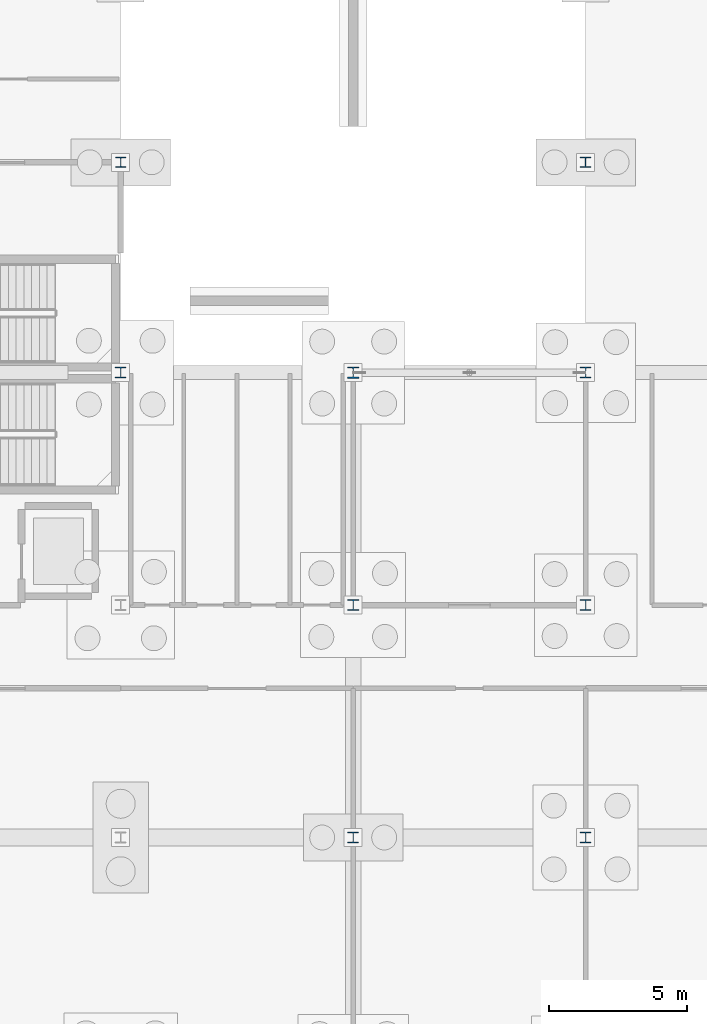
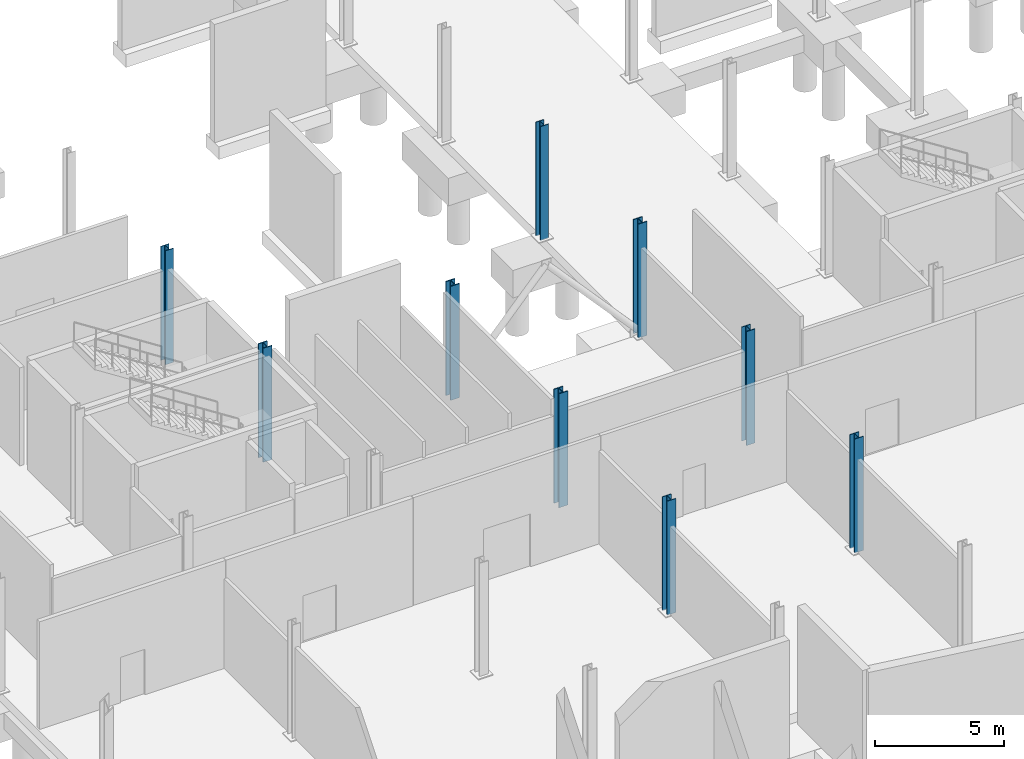
# One storey, part 17 of 61: 9 columns.
"""IFC4 building model written with IfcOpenShell, lengths in metres."""

from ifc_helpers import new_model, si_unit, direction, frame, origin, origin_2d, place, context, subcontext, project, spatial, i_section, extrude, material, material_profile, profile_set, type_object, element, save


model = new_model("IFC4")

# Units and contexts
model_context = context("Model", 3, precision=1e-05, world=origin(), true_north=direction((0.0, 1.0)))
body_context = subcontext(model_context, "Body", "Model", "MODEL_VIEW")
ifc_project = project(units=[si_unit("LENGTHUNIT", "METRE"), si_unit("AREAUNIT", "SQUARE_METRE"), si_unit("VOLUMEUNIT", "CUBIC_METRE"), si_unit("PLANEANGLEUNIT", "RADIAN"), si_unit("MASSUNIT", "GRAM", prefix="KILO")], contexts=[model_context])

# Site, building, storey
site_placement = place(None, origin())
site = spatial("IfcSite", under=ifc_project, at=site_placement, CompositionType="ELEMENT")
building_placement = place(site_placement, origin())
building = spatial("IfcBuilding", under=site, at=building_placement, Name="Calvrana Isthmian Art Gallery", CompositionType="ELEMENT")
storey_placement = place(building_placement, frame((0.0, 0.0, -5.39990234375)))
storey = spatial("IfcBuildingStorey", under=building, at=storey_placement, Name="B1", CompositionType="ELEMENT", Elevation=-5.39990234375)

# Columns
ifc_material = material(Name="Steel ASTM A992 Gr 50", Category="steel")
ifc_material_profile_1 = material_profile(ifc_material, i_section(OverallWidth=0.373046875, OverallDepth=0.367919921875, WebThickness=0.014892578125, FlangeThickness=0.02392578125, FilletRadius=0.02490234375, at=origin_2d()), Name="W14X120")
ifc_profile_set_1 = profile_set([ifc_material_profile_1], Name="Steel ASTM A992 Gr 50")
column_type_1 = type_object("IfcColumnType", Name="COL-STL-W14X120", PredefinedType="COLUMN", material=ifc_profile_set_1)
column_1_placement = place(storey_placement, frame((38.39990234375, 54.39990234375, 0.0), z_axis=(0.0, 0.0, 1.0), x_axis=(1.0, 0.0, 0.0)))
element("IfcColumn", 1, at=column_1_placement, inside=storey, type_object=column_type_1, Name="Column 06/H B1", PredefinedType="COLUMN", context=body_context, shape_type="SweptSolid", body=[
    extrude(i_section(OverallWidth=0.373046875, OverallDepth=0.367919921875, WebThickness=0.014892578125, FlangeThickness=0.02392578125, FilletRadius=0.02490234375, at=origin_2d()), origin(), (0.0, 0.0, 1.0), 5.39990234375),
])
ifc_material_profile_2 = material_profile(ifc_material, i_section(OverallWidth=0.373046875, OverallDepth=0.373046875, WebThickness=0.016357421875, FlangeThickness=0.026123046875, FilletRadius=0.02490234375, at=origin_2d()), Name="W14X132")
ifc_profile_set_2 = profile_set([ifc_material_profile_2], Name="Steel ASTM A992 Gr 50")
column_type_2 = type_object("IfcColumnType", Name="COL-STL-W14X132", PredefinedType="COLUMN", material=ifc_profile_set_2)
column_2_placement = place(storey_placement, frame((55.199951171875, 54.39990234375, 0.0), z_axis=(0.0, 0.0, 1.0), x_axis=(1.0, 0.0, 0.0)))
element("IfcColumn", 2, at=column_2_placement, inside=storey, type_object=column_type_2, Name="Column 08/H B1", PredefinedType="COLUMN", context=body_context, shape_type="SweptSolid", body=[
    extrude(i_section(OverallWidth=0.373046875, OverallDepth=0.373046875, WebThickness=0.016357421875, FlangeThickness=0.026123046875, FilletRadius=0.02490234375, at=origin_2d()), origin(), (0.0, 0.0, 1.0), 5.39990234375),
])
ifc_material_profile_3 = material_profile(ifc_material, i_section(OverallWidth=0.39599609375, OverallDepth=0.381103515625, WebThickness=0.018798828125, FlangeThickness=0.0302734375, FilletRadius=0.02490234375, at=origin_2d()), Name="W14X159")
ifc_profile_set_3 = profile_set([ifc_material_profile_3], Name="Steel ASTM A992 Gr 50")
column_type_3 = type_object("IfcColumnType", Name="COL-STL-W14X159", PredefinedType="COLUMN", material=ifc_profile_set_3)
column_3_placement = place(storey_placement, frame((46.800048828125, 30.0, 0.0), z_axis=(0.0, 0.0, 1.0), x_axis=(1.0, 0.0, 0.0)))
element("IfcColumn", 3, at=column_3_placement, inside=storey, type_object=column_type_3, Name="Column 07/E B1", PredefinedType="COLUMN", context=body_context, shape_type="SweptSolid", body=[
    extrude(i_section(OverallWidth=0.39599609375, OverallDepth=0.381103515625, WebThickness=0.018798828125, FlangeThickness=0.0302734375, FilletRadius=0.02490234375, at=origin_2d()), origin(), (0.0, 0.0, 1.0), 5.39990234375),
])
ifc_material_profile_4 = material_profile(ifc_material, i_section(OverallWidth=0.39892578125, OverallDepth=0.385986328125, WebThickness=0.02099609375, FlangeThickness=0.033203125, FilletRadius=0.02490234375, at=origin_2d()), Name="W14X176")
ifc_profile_set_4 = profile_set([ifc_material_profile_4], Name="Steel ASTM A992 Gr 50")
column_type_4 = type_object("IfcColumnType", Name="COL-STL-W14X176", PredefinedType="COLUMN", material=ifc_profile_set_4)
column_4_placement = place(storey_placement, frame((55.199951171875, 30.0, 0.0), z_axis=(0.0, 0.0, 1.0), x_axis=(1.0, 0.0, 0.0)))
element("IfcColumn", 4, at=column_4_placement, inside=storey, type_object=column_type_4, Name="Column 08/E B1", PredefinedType="COLUMN", context=body_context, shape_type="SweptSolid", body=[
    extrude(i_section(OverallWidth=0.39892578125, OverallDepth=0.385986328125, WebThickness=0.02099609375, FlangeThickness=0.033203125, FilletRadius=0.02490234375, at=origin_2d()), origin(), (0.0, 0.0, 1.0), 5.39990234375),
])
ifc_material_profile_5 = material_profile(ifc_material, i_section(OverallWidth=0.39892578125, OverallDepth=0.39404296875, WebThickness=0.022705078125, FlangeThickness=0.03662109375, FilletRadius=0.02490234375, at=origin_2d()), Name="W14X193")
ifc_profile_set_5 = profile_set([ifc_material_profile_5], Name="Steel ASTM A992 Gr 50")
column_type_5 = type_object("IfcColumnType", Name="COL-STL-W14X193", PredefinedType="COLUMN", material=ifc_profile_set_5)
for number, where, z_axis, x_axis, name in (
    (5, (38.39990234375, 46.800048828125, 0.0), (0.0, 0.0, 1.0), (1.0, 0.0, 0.0), "Column 06/G B1"),
    (6, (55.199951171875, 38.39990234375, 0.0), (0.0, 0.0, 1.0), (1.0, 0.0, 0.0), "Column 08/F B1"),
):
    element("IfcColumn", number, at=place(storey_placement, frame(where, z_axis=z_axis, x_axis=x_axis)), inside=storey, type_object=column_type_5, Name=name, PredefinedType="COLUMN", context=body_context, shape_type="SweptSolid", body=[
        extrude(i_section(OverallWidth=0.39892578125, OverallDepth=0.39404296875, WebThickness=0.022705078125, FlangeThickness=0.03662109375, FilletRadius=0.02490234375, at=origin_2d()), origin(), (0.0, 0.0, 1.0), 5.39990234375),
    ])
ifc_material_profile_6 = material_profile(ifc_material, i_section(OverallWidth=0.40087890625, OverallDepth=0.39892578125, WebThickness=0.02490234375, FlangeThickness=0.03955078125, FilletRadius=0.02490234375, at=origin_2d()), Name="W14X211")
ifc_profile_set_6 = profile_set([ifc_material_profile_6], Name="Steel ASTM A992 Gr 50")
column_type_6 = type_object("IfcColumnType", Name="COL-STL-W14X211", PredefinedType="COLUMN", material=ifc_profile_set_6)
column_5_placement = place(storey_placement, frame((55.199951171875, 46.800048828125, 0.0), z_axis=(0.0, 0.0, 1.0), x_axis=(1.0, 0.0, 0.0)))
element("IfcColumn", 7, at=column_5_placement, inside=storey, type_object=column_type_6, Name="Column 08/G B1", PredefinedType="COLUMN", context=body_context, shape_type="SweptSolid", body=[
    extrude(i_section(OverallWidth=0.40087890625, OverallDepth=0.39892578125, WebThickness=0.02490234375, FlangeThickness=0.03955078125, FilletRadius=0.02490234375, at=origin_2d()), origin(), (0.0, 0.0, 1.0), 5.39990234375),
])
ifc_material_profile_7 = material_profile(ifc_material, i_section(OverallWidth=0.404052734375, OverallDepth=0.406005859375, WebThickness=0.027099609375, FlangeThickness=0.043701171875, FilletRadius=0.02490234375, at=origin_2d()), Name="W14X233")
ifc_profile_set_7 = profile_set([ifc_material_profile_7], Name="Steel ASTM A992 Gr 50")
column_type_7 = type_object("IfcColumnType", Name="COL-STL-W14X233", PredefinedType="COLUMN", material=ifc_profile_set_7)
column_6_placement = place(storey_placement, frame((46.800048828125, 38.39990234375, 0.0), z_axis=(0.0, 0.0, 1.0), x_axis=(1.0, 0.0, 0.0)))
element("IfcColumn", 8, at=column_6_placement, inside=storey, type_object=column_type_7, Name="Column 07/F B1", PredefinedType="COLUMN", context=body_context, shape_type="SweptSolid", body=[
    extrude(i_section(OverallWidth=0.404052734375, OverallDepth=0.406005859375, WebThickness=0.027099609375, FlangeThickness=0.043701171875, FilletRadius=0.02490234375, at=origin_2d()), origin(), (0.0, 0.0, 1.0), 5.39990234375),
])
ifc_material_profile_8 = material_profile(ifc_material, i_section(OverallWidth=0.406005859375, OverallDepth=0.4169921875, WebThickness=0.02978515625, FlangeThickness=0.048095703125, FilletRadius=0.02490234375, at=origin_2d()), Name="W14X257")
ifc_profile_set_8 = profile_set([ifc_material_profile_8], Name="Steel ASTM A992 Gr 50")
column_type_8 = type_object("IfcColumnType", Name="COL-STL-W14X257", PredefinedType="COLUMN", material=ifc_profile_set_8)
column_7_placement = place(storey_placement, frame((46.800048828125, 46.800048828125, 0.0), z_axis=(0.0, 0.0, 1.0), x_axis=(1.0, 0.0, 0.0)))
element("IfcColumn", 9, at=column_7_placement, inside=storey, type_object=column_type_8, Name="Column 07/G B1", PredefinedType="COLUMN", context=body_context, shape_type="SweptSolid", body=[
    extrude(i_section(OverallWidth=0.406005859375, OverallDepth=0.4169921875, WebThickness=0.02978515625, FlangeThickness=0.048095703125, FilletRadius=0.02490234375, at=origin_2d()), origin(), (0.0, 0.0, 1.0), 5.39990234375),
])

save(model, "model.ifc")
